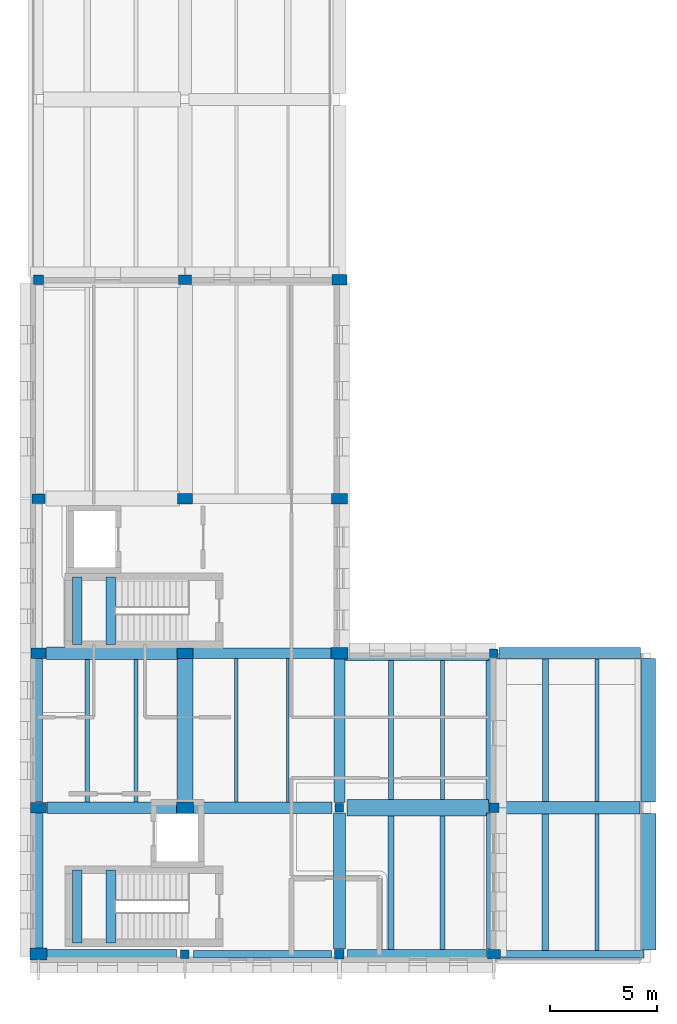
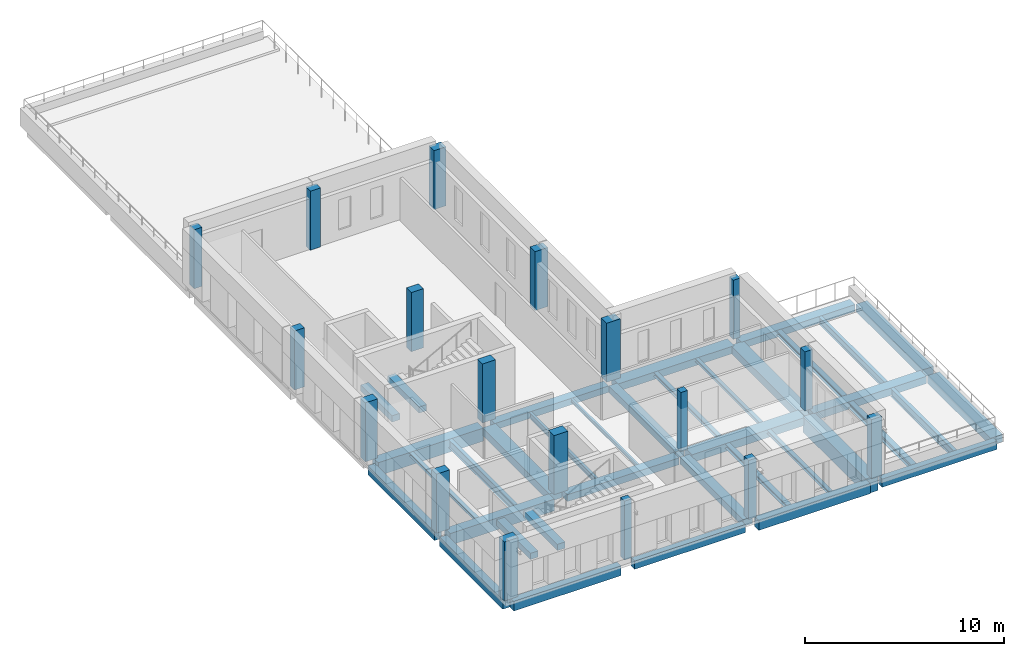
# One storey, part 1 of 8: 37 beams, 18 columns.
"""IFC4 building model written with IfcOpenShell, lengths in metres."""

from ifc_helpers import new_model, si_unit, direction, frame, origin, origin_2d, place, context, subcontext, project, spatial, rectangle, i_section, extrude, material, material_profile, profile_set, type_object, element, save


model = new_model("IFC4")

# Units and contexts
model_context = context("Model", 3, precision=1e-05, world=origin(), true_north=direction((0.0, 1.0)))
body_context = subcontext(model_context, "Body", "Model", "MODEL_VIEW")
ifc_project = project(units=[si_unit("LENGTHUNIT", "METRE"), si_unit("AREAUNIT", "SQUARE_METRE"), si_unit("VOLUMEUNIT", "CUBIC_METRE"), si_unit("PLANEANGLEUNIT", "RADIAN"), si_unit("MASSUNIT", "GRAM", prefix="KILO")], contexts=[model_context])

# Site, building, storey
site_placement = place(None, origin())
site = spatial("IfcSite", under=ifc_project, at=site_placement, CompositionType="ELEMENT")
building_placement = place(site_placement, origin())
building = spatial("IfcBuilding", under=site, at=building_placement, Name="Vardoun Plaza Health Centre", CompositionType="ELEMENT")
storey_placement = place(building_placement, frame((0.0, 0.0, 21.14990234375)))
storey = spatial("IfcBuildingStorey", under=building, at=storey_placement, Name="L05", CompositionType="ELEMENT", Elevation=21.14990234375)

# Columns
ifc_material_1 = material(Name="Concrete C40/50", Category="concrete")
ifc_material_profile_1 = material_profile(ifc_material_1, rectangle(XDim=0.39990234375, YDim=0.39990234375, at=origin_2d()), Name="RC-COL 400x400")
ifc_profile_set_1 = profile_set([ifc_material_profile_1], Name="Concrete C40/50")
column_type_1 = type_object("IfcColumnType", Name="C-08", PredefinedType="COLUMN", material=ifc_profile_set_1)
for number, where, z_axis, x_axis, name in (
    (1, (11.699951171875, 4.8798828125, 0.0), (0.0, 0.0, 1.0), (1.0, 0.0, 0.0), "V2 L05 Column C-V2-06"),
    (2, (18.89990234375, 11.699951171875, 0.0), (0.0, 0.0, 1.0), (1.0, 0.0, 0.0), "V2 L05 Column C-V2-12"),
    (3, (26.10009765625, 18.89990234375, 0.0), (0.0, 0.0, 1.0), (1.0, 0.0, 0.0), "V2 L05 Column C-V2-18"),
):
    element("IfcColumn", number, at=place(storey_placement, frame(where, z_axis=z_axis, x_axis=x_axis)), inside=storey, type_object=column_type_1, Name=name, PredefinedType="COLUMN", context=body_context, shape_type="SweptSolid", body=[
        extrude(rectangle(XDim=0.39990234375, YDim=0.39990234375, at=origin_2d()), origin(), (0.0, 0.0, 1.0), 3.6201171875),
    ])
ifc_material_2 = material(Name="Concrete C40/50", Category="concrete")
ifc_material_profile_2 = material_profile(ifc_material_2, rectangle(XDim=0.449951171875, YDim=0.449951171875, at=origin_2d()), Name="RC-COL 450x450")
ifc_profile_set_2 = profile_set([ifc_material_profile_2], Name="Concrete C40/50")
column_type_2 = type_object("IfcColumnType", Name="C-07", PredefinedType="COLUMN", material=ifc_profile_set_2)
for number, where, z_axis, x_axis, name in (
    (4, (4.8798828125, 36.300048828125, 0.0), (0.0, 0.0, 1.0), (1.0, 0.0, 0.0), "V2 L05 Column C-V2-05"),
    (5, (18.89990234375, 4.8798828125, 0.0), (0.0, 0.0, 1.0), (1.0, 0.0, 0.0), "V2 L05 Column C-V2-11"),
    (6, (26.10009765625, 11.699951171875, 0.0), (0.0, 0.0, 1.0), (1.0, 0.0, 0.0), "V2 L05 Column C-V2-17"),
):
    element("IfcColumn", number, at=place(storey_placement, frame(where, z_axis=z_axis, x_axis=x_axis)), inside=storey, type_object=column_type_2, Name=name, PredefinedType="COLUMN", context=body_context, shape_type="SweptSolid", body=[
        extrude(rectangle(XDim=0.449951171875, YDim=0.449951171875, at=origin_2d()), origin(), (0.0, 0.0, 1.0), 3.6201171875),
    ])
ifc_material_3 = material(Name="Concrete C40/50", Category="concrete")
ifc_material_profile_3 = material_profile(ifc_material_3, rectangle(XDim=0.60009765625, YDim=0.449951171875, at=origin_2d()), Name="RC-COL 600x450")
ifc_profile_set_3 = profile_set([ifc_material_profile_3], Name="Concrete C40/50")
column_type_3 = type_object("IfcColumnType", Name="C-12", PredefinedType="COLUMN", material=ifc_profile_set_3)
for number, where, z_axis, x_axis, name in (
    (7, (4.8798828125, 26.10009765625, 0.0), (0.0, 0.0, 1.0), (1.0, 0.0, 0.0), "V2 L05 Column C-V2-04"),
    (8, (11.699951171875, 36.300048828125, 0.0), (0.0, 0.0, 1.0), (1.0, 0.0, 0.0), "V2 L05 Column C-V2-10"),
    (9, (26.10009765625, 4.8798828125, 0.0), (0.0, 0.0, 1.0), (1.0, 0.0, 0.0), "V2 L05 Column C-V2-16"),
):
    element("IfcColumn", number, at=place(storey_placement, frame(where, z_axis=z_axis, x_axis=x_axis)), inside=storey, type_object=column_type_3, Name=name, PredefinedType="COLUMN", context=body_context, shape_type="SweptSolid", body=[
        extrude(rectangle(XDim=0.60009765625, YDim=0.449951171875, at=origin_2d()), origin(), (0.0, 0.0, 1.0), 3.6201171875),
    ])
ifc_material_4 = material(Name="Concrete C40/50", Category="concrete")
ifc_material_profile_4 = material_profile(ifc_material_4, rectangle(XDim=0.699951171875, YDim=0.5, at=origin_2d()), Name="RC-COL 700x500")
ifc_profile_set_4 = profile_set([ifc_material_profile_4], Name="Concrete C40/50")
column_type_4 = type_object("IfcColumnType", Name="C-11", PredefinedType="COLUMN", material=ifc_profile_set_4)
for number, where, z_axis, x_axis, name in (
    (10, (4.8798828125, 18.89990234375, 0.0), (0.0, 0.0, 1.0), (1.0, 0.0, 0.0), "V2 L05 Column C-V2-03"),
    (11, (11.699951171875, 26.10009765625, 0.0), (0.0, 0.0, 1.0), (1.0, 0.0, 0.0), "V2 L05 Column C-V2-09"),
    (12, (18.89990234375, 36.300048828125, 0.0), (0.0, 0.0, 1.0), (1.0, 0.0, 0.0), "V2 L05 Column C-V2-15"),
):
    element("IfcColumn", number, at=place(storey_placement, frame(where, z_axis=z_axis, x_axis=x_axis)), inside=storey, type_object=column_type_4, Name=name, PredefinedType="COLUMN", context=body_context, shape_type="SweptSolid", body=[
        extrude(rectangle(XDim=0.699951171875, YDim=0.5, at=origin_2d()), origin(), (0.0, 0.0, 1.0), 3.6201171875),
    ])
ifc_material_5 = material(Name="Concrete C40/50", Category="concrete")
ifc_material_profile_5 = material_profile(ifc_material_5, rectangle(XDim=0.75, YDim=0.5, at=origin_2d()), Name="RC-COL 750x500")
ifc_profile_set_5 = profile_set([ifc_material_profile_5], Name="Concrete C40/50")
column_type_5 = type_object("IfcColumnType", Name="C-10", PredefinedType="COLUMN", material=ifc_profile_set_5)
for number, where, z_axis, x_axis, name in (
    (13, (4.8798828125, 11.699951171875, 0.0), (0.0, 0.0, 1.0), (1.0, 0.0, 0.0), "V2 L05 Column C-V2-02"),
    (14, (11.699951171875, 18.89990234375, 0.0), (0.0, 0.0, 1.0), (1.0, 0.0, 0.0), "V2 L05 Column C-V2-08"),
    (15, (18.89990234375, 26.10009765625, 0.0), (0.0, 0.0, 1.0), (1.0, 0.0, 0.0), "V2 L05 Column C-V2-14"),
):
    element("IfcColumn", number, at=place(storey_placement, frame(where, z_axis=z_axis, x_axis=x_axis)), inside=storey, type_object=column_type_5, Name=name, PredefinedType="COLUMN", context=body_context, shape_type="SweptSolid", body=[
        extrude(rectangle(XDim=0.75, YDim=0.5, at=origin_2d()), origin(), (0.0, 0.0, 1.0), 3.6201171875),
    ])
ifc_material_6 = material(Name="Concrete C40/50", Category="concrete")
ifc_material_profile_6 = material_profile(ifc_material_6, rectangle(XDim=0.800048828125, YDim=0.550048828125, at=origin_2d()), Name="RC-COL 800x550")
ifc_profile_set_6 = profile_set([ifc_material_profile_6], Name="Concrete C40/50")
column_type_6 = type_object("IfcColumnType", Name="C-09", PredefinedType="COLUMN", material=ifc_profile_set_6)
for number, where, z_axis, x_axis, name in (
    (16, (4.8798828125, 4.8798828125, 0.0), (0.0, 0.0, 1.0), (1.0, 0.0, 0.0), "V2 L05 Column C-V2-01"),
    (17, (11.699951171875, 11.699951171875, 0.0), (0.0, 0.0, 1.0), (1.0, 0.0, 0.0), "V2 L05 Column C-V2-07"),
    (18, (18.89990234375, 18.89990234375, 0.0), (0.0, 0.0, 1.0), (1.0, 0.0, 0.0), "V2 L05 Column C-V2-13"),
):
    element("IfcColumn", number, at=place(storey_placement, frame(where, z_axis=z_axis, x_axis=x_axis)), inside=storey, type_object=column_type_6, Name=name, PredefinedType="COLUMN", context=body_context, shape_type="SweptSolid", body=[
        extrude(rectangle(XDim=0.800048828125, YDim=0.550048828125, at=origin_2d()), origin(), (0.0, 0.0, 1.0), 3.6201171875),
    ])

# Beams
ifc_material_7 = material(Name="Concrete C35/45", Category="concrete")
ifc_material_profile_7 = material_profile(ifc_material_7, rectangle(XDim=0.35009765625, YDim=0.5, at=origin_2d()), Name="RC-BM 350x500")
ifc_profile_set_7 = profile_set([ifc_material_profile_7], Name="Concrete C35/45")
beam_type_1 = type_object("IfcBeamType", Name="B-08", PredefinedType="SPANDREL", material=ifc_profile_set_7)
beam_1_placement = place(storey_placement, frame((12.10009765625, 4.8798828125, -0.52978515625), z_axis=(1.0, 0.0, 0.0), x_axis=(0.0, 1.0, 0.0)))
element("IfcBeam", 19, at=beam_1_placement, inside=storey, type_object=beam_type_1, Name="V2 L05 Beam B-V2-L05-X08", PredefinedType="SPANDREL", context=body_context, shape_type="SweptSolid", body=[
    extrude(rectangle(XDim=0.35009765625, YDim=0.5, at=origin_2d()), origin(), (0.0, 0.0, 1.0), 6.4248046875),
])
beam_2_placement = place(storey_placement, frame((26.449951171875, 4.8798828125, -0.52978515625), z_axis=(1.0, 0.0, 0.0), x_axis=(0.0, 1.0, 0.0)))
element("IfcBeam", 20, at=beam_2_placement, inside=storey, type_object=beam_type_1, Name="V2 L05 Beam B-V2-L05-X18", PredefinedType="SPANDREL", context=body_context, shape_type="SweptSolid", body=[
    extrude(rectangle(XDim=0.35009765625, YDim=0.5, at=origin_2d()), origin(), (0.0, 0.0, 1.0), 6.650146484375),
])
ifc_material_8 = material(Name="Concrete C35/45", Category="concrete")
ifc_material_profile_8 = material_profile(ifc_material_8, rectangle(XDim=0.39990234375, YDim=0.550048828125, at=origin_2d()), Name="RC-BM 400x550")
ifc_profile_set_8 = profile_set([ifc_material_profile_8], Name="Concrete C35/45")
beam_type_2 = type_object("IfcBeamType", Name="B-09", PredefinedType="SPANDREL", material=ifc_profile_set_8)
beam_3_placement = place(storey_placement, frame((4.8798828125, 11.97509765625, -0.554931640625), z_axis=(0.0, 1.0, 0.0), x_axis=(-1.0, 0.0, 0.0)))
element("IfcBeam", 21, at=beam_3_placement, inside=storey, type_object=beam_type_2, Name="V2 L05 Beam B-V2-L05-Y22", PredefinedType="SPANDREL", context=body_context, shape_type="SweptSolid", body=[
    extrude(rectangle(XDim=0.39990234375, YDim=0.550048828125, at=origin_2d()), origin(), (0.0, 0.0, 1.0), 6.6748046875),
])
ifc_material_9 = material(Name="Concrete C35/45", Category="concrete")
ifc_material_profile_9 = material_profile(ifc_material_9, rectangle(XDim=0.419921875, YDim=0.580078125, at=origin_2d()), Name="RC-BM 420x580")
ifc_profile_set_9 = profile_set([ifc_material_profile_9], Name="Concrete C35/45")
beam_type_3 = type_object("IfcBeamType", Name="B-10", PredefinedType="SPANDREL", material=ifc_profile_set_9)
beam_4_placement = place(storey_placement, frame((5.080078125, 4.8798828125, -0.56982421875), z_axis=(1.0, 0.0, 0.0), x_axis=(0.0, 1.0, 0.0)))
element("IfcBeam", 22, at=beam_4_placement, inside=storey, type_object=beam_type_3, Name="V2 L05 Beam B-V2-L05-X01", PredefinedType="SPANDREL", context=body_context, shape_type="SweptSolid", body=[
    extrude(rectangle(XDim=0.419921875, YDim=0.580078125, at=origin_2d()), origin(), (0.0, 0.0, 1.0), 6.219970703125),
])
beam_5_placement = place(storey_placement, frame((4.8798828125, 5.080078125, -0.56982421875), z_axis=(0.0, 1.0, 0.0), x_axis=(-1.0, 0.0, 0.0)))
element("IfcBeam", 23, at=beam_5_placement, inside=storey, type_object=beam_type_3, Name="V2 L05 Beam B-V2-L05-Y21", PredefinedType="SPANDREL", context=body_context, shape_type="SweptSolid", body=[
    extrude(rectangle(XDim=0.419921875, YDim=0.580078125, at=origin_2d()), origin(), (0.0, 0.0, 1.0), 6.344970703125),
])
ifc_material_10 = material(Name="Concrete C35/45", Category="concrete")
ifc_material_profile_10 = material_profile(ifc_material_10, rectangle(XDim=0.449951171875, YDim=0.3798828125, at=origin_2d()), Name="RC-BM 450x380")
ifc_profile_set_10 = profile_set([ifc_material_profile_10], Name="Concrete C35/45")
beam_type_4 = type_object("IfcBeamType", Name="B-01", PredefinedType="BEAM", material=ifc_profile_set_10)
for number, where, z_axis, x_axis, name in (
    (24, (6.679931640625, 5.39990234375, 1.56005859375), (0.0, 1.0, 0.0), (-1.0, 0.0, 0.0), "Stair ST-C1-L05 Landing Beam 1"),
    (25, (8.239990234375, 5.39990234375, 1.56005859375), (0.0, 1.0, 0.0), (-1.0, 0.0, 0.0), "Stair ST-C1-L05 Landing Beam 2"),
):
    element("IfcBeam", number, at=place(storey_placement, frame(where, z_axis=z_axis, x_axis=x_axis)), inside=storey, type_object=beam_type_4, Name=name, PredefinedType="BEAM", context=body_context, shape_type="SweptSolid", body=[
        extrude(rectangle(XDim=0.449951171875, YDim=0.3798828125, at=origin_2d()), origin(), (0.0, 0.0, 1.0), 3.400146484375),
    ])
for number, where, z_axis, x_axis, name in (
    (26, (6.679931640625, 19.300048828125, 1.56005859375), (0.0, 1.0, 0.0), (-1.0, 0.0, 0.0), "Stair ST-C2-L05 Landing Beam 1"),
    (27, (8.239990234375, 19.300048828125, 1.56005859375), (0.0, 1.0, 0.0), (-1.0, 0.0, 0.0), "Stair ST-C2-L05 Landing Beam 2"),
):
    element("IfcBeam", number, at=place(storey_placement, frame(where, z_axis=z_axis, x_axis=x_axis)), inside=storey, type_object=beam_type_4, Name=name, PredefinedType="BEAM", context=body_context, shape_type="SweptSolid", body=[
        extrude(rectangle(XDim=0.449951171875, YDim=0.3798828125, at=origin_2d()), origin(), (0.0, 0.0, 1.0), 3.14990234375),
    ])
ifc_material_11 = material(Name="Concrete C35/45", Category="concrete")
ifc_material_profile_11 = material_profile(ifc_material_11, rectangle(XDim=0.449951171875, YDim=0.60009765625, at=origin_2d()), Name="RC-BM 450x600")
ifc_profile_set_11 = profile_set([ifc_material_profile_11], Name="Concrete C35/45")
beam_type_5 = type_object("IfcBeamType", Name="B-11", PredefinedType="SPANDREL", material=ifc_profile_set_11)
beam_6_placement = place(storey_placement, frame((19.27490234375, 4.8798828125, -0.579833984375), z_axis=(1.0, 0.0, 0.0), x_axis=(0.0, 1.0, 0.0)))
element("IfcBeam", 28, at=beam_6_placement, inside=storey, type_object=beam_type_5, Name="V2 L05 Beam B-V2-L05-X15", PredefinedType="SPANDREL", context=body_context, shape_type="SweptSolid", body=[
    extrude(rectangle(XDim=0.449951171875, YDim=0.60009765625, at=origin_2d()), origin(), (0.0, 0.0, 1.0), 6.47509765625),
])
ifc_material_12 = material(Name="Concrete C35/45", Category="concrete")
ifc_material_profile_12 = material_profile(ifc_material_12, rectangle(XDim=0.5, YDim=0.39990234375, at=origin_2d()), Name="RC-BM 500x400")
ifc_profile_set_12 = profile_set([ifc_material_profile_12], Name="Concrete C35/45")
beam_type_6 = type_object("IfcBeamType", Name="B-02", PredefinedType="BEAM", material=ifc_profile_set_12)
beam_7_placement = place(storey_placement, frame((12.050048828125, 18.89990234375, -0.47998046875), z_axis=(1.0, 0.0, 0.0), x_axis=(0.0, 1.0, 0.0)))
element("IfcBeam", 29, at=beam_7_placement, inside=storey, type_object=beam_type_6, Name="V2 L05 Beam B-V2-L05-X10", PredefinedType="BEAM", context=body_context, shape_type="SweptSolid", body=[
    extrude(rectangle(XDim=0.5, YDim=0.39990234375, at=origin_2d()), origin(), (0.0, 0.0, 1.0), 6.599853515625),
])
beam_8_placement = place(storey_placement, frame((18.89990234375, 11.949951171875, -0.47998046875), z_axis=(0.0, 1.0, 0.0), x_axis=(-1.0, 0.0, 0.0)))
element("IfcBeam", 30, at=beam_8_placement, inside=storey, type_object=beam_type_6, Name="V2 L05 Beam B-V2-L05-Y32", PredefinedType="BEAM", context=body_context, shape_type="SweptSolid", body=[
    extrude(rectangle(XDim=0.5, YDim=0.39990234375, at=origin_2d()), origin(), (0.0, 0.0, 1.0), 6.699951171875),
])
ifc_material_13 = material(Name="Concrete C35/45", Category="concrete")
ifc_material_profile_13 = material_profile(ifc_material_13, rectangle(XDim=0.550048828125, YDim=0.419921875, at=origin_2d()), Name="RC-BM 550x420")
ifc_profile_set_13 = profile_set([ifc_material_profile_13], Name="Concrete C35/45")
beam_type_7 = type_object("IfcBeamType", Name="B-03", PredefinedType="BEAM", material=ifc_profile_set_13)
beam_9_placement = place(storey_placement, frame((12.074951171875, 11.699951171875, -0.489990234375), z_axis=(1.0, 0.0, 0.0), x_axis=(0.0, 1.0, 0.0)))
element("IfcBeam", 31, at=beam_9_placement, inside=storey, type_object=beam_type_7, Name="V2 L05 Beam B-V2-L05-X09", PredefinedType="BEAM", context=body_context, shape_type="SweptSolid", body=[
    extrude(rectangle(XDim=0.550048828125, YDim=0.419921875, at=origin_2d()), origin(), (0.0, 0.0, 1.0), 6.47509765625),
])
beam_10_placement = place(storey_placement, frame((26.324951171875, 18.89990234375, -0.489990234375), z_axis=(1.0, 0.0, 0.0), x_axis=(0.0, 1.0, 0.0)))
element("IfcBeam", 32, at=beam_10_placement, inside=storey, type_object=beam_type_7, Name="V2 L05 Beam B-V2-L05-X20", PredefinedType="BEAM", context=body_context, shape_type="SweptSolid", body=[
    extrude(rectangle(XDim=0.550048828125, YDim=0.419921875, at=origin_2d()), origin(), (0.0, 0.0, 1.0), 6.60009765625),
])
beam_11_placement = place(storey_placement, frame((18.89990234375, 5.1298828125, -0.489990234375), z_axis=(0.0, 1.0, 0.0), x_axis=(-1.0, 0.0, 0.0)))
element("IfcBeam", 33, at=beam_11_placement, inside=storey, type_object=beam_type_7, Name="V2 L05 Beam B-V2-L05-Y31", PredefinedType="BEAM", context=body_context, shape_type="SweptSolid", body=[
    extrude(rectangle(XDim=0.550048828125, YDim=0.419921875, at=origin_2d()), origin(), (0.0, 0.0, 1.0), 6.320068359375),
])
ifc_material_14 = material(Name="Concrete C40/50", Category="concrete")
ifc_material_profile_14 = material_profile(ifc_material_14, rectangle(XDim=0.550048828125, YDim=0.719970703125, at=origin_2d()), Name="RC-BM 550x720")
ifc_profile_set_14 = profile_set([ifc_material_profile_14], Name="Concrete C40/50")
beam_type_8 = type_object("IfcBeamType", Name="B-14", PredefinedType="BEAM", material=ifc_profile_set_14)
beam_12_placement = place(storey_placement, frame((5.280029296875, 11.699951171875, -0.639892578125), z_axis=(1.0, 0.0, 0.0), x_axis=(0.0, 1.0, 0.0)))
element("IfcBeam", 34, at=beam_12_placement, inside=storey, type_object=beam_type_8, Name="V2 L05 Beam B-V2-L05-X02", PredefinedType="BEAM", context=body_context, shape_type="SweptSolid", body=[
    extrude(rectangle(XDim=0.550048828125, YDim=0.719970703125, at=origin_2d()), origin(), (0.0, 0.0, 1.0), 6.044921875),
])
ifc_material_15 = material(Name="Concrete C35/45", Category="concrete")
ifc_material_profile_15 = material_profile(ifc_material_15, rectangle(XDim=0.60009765625, YDim=0.449951171875, at=origin_2d()), Name="RC-BM 600x450")
ifc_profile_set_15 = profile_set([ifc_material_profile_15], Name="Concrete C35/45")
beam_type_9 = type_object("IfcBeamType", Name="B-04", PredefinedType="BEAM", material=ifc_profile_set_15)
beam_13_placement = place(storey_placement, frame((26.35009765625, 11.699951171875, -0.5048828125), z_axis=(1.0, 0.0, 0.0), x_axis=(0.0, 1.0, 0.0)))
element("IfcBeam", 35, at=beam_13_placement, inside=storey, type_object=beam_type_9, Name="V2 L05 Beam B-V2-L05-X19", PredefinedType="BEAM", context=body_context, shape_type="SweptSolid", body=[
    extrude(rectangle(XDim=0.60009765625, YDim=0.449951171875, at=origin_2d()), origin(), (0.0, 0.0, 1.0), 6.550048828125),
])
ifc_material_16 = material(Name="Concrete C40/50", Category="concrete")
ifc_material_profile_16 = material_profile(ifc_material_16, rectangle(XDim=0.60009765625, YDim=0.800048828125, at=origin_2d()), Name="RC-BM 600x800")
ifc_profile_set_16 = profile_set([ifc_material_profile_16], Name="Concrete C40/50")
beam_type_10 = type_object("IfcBeamType", Name="B-15", PredefinedType="JOIST", material=ifc_profile_set_16)
beam_14_placement = place(storey_placement, frame((5.2548828125, 18.89990234375, -0.679931640625), z_axis=(1.0, 0.0, 0.0), x_axis=(0.0, 1.0, 0.0)))
element("IfcBeam", 36, at=beam_14_placement, inside=storey, type_object=beam_type_10, Name="V2 L05 Beam B-V2-L05-X03", PredefinedType="JOIST", context=body_context, shape_type="SweptSolid", body=[
    extrude(rectangle(XDim=0.60009765625, YDim=0.800048828125, at=origin_2d()), origin(), (0.0, 0.0, 1.0), 6.09521484375),
])
ifc_material_17 = material(Name="Concrete C35/45", Category="concrete")
ifc_material_profile_17 = material_profile(ifc_material_17, rectangle(XDim=0.64990234375, YDim=0.449951171875, at=origin_2d()), Name="RC-BM 650x450")
ifc_profile_set_17 = profile_set([ifc_material_profile_17], Name="Concrete C35/45")
beam_type_11 = type_object("IfcBeamType", Name="B-05", PredefinedType="BEAM", material=ifc_profile_set_17)
beam_15_placement = place(storey_placement, frame((33.300048828125, 11.97509765625, -0.5048828125), z_axis=(0.0, 1.0, 0.0), x_axis=(-1.0, 0.0, 0.0)))
element("IfcBeam", 37, at=beam_15_placement, inside=storey, type_object=beam_type_11, Name="V2 L05 Beam B-V2-L05-Y40", PredefinedType="BEAM", context=body_context, shape_type="SweptSolid", body=[
    extrude(rectangle(XDim=0.64990234375, YDim=0.449951171875, at=origin_2d()), origin(), (0.0, 0.0, 1.0), 6.6748046875),
])
ifc_material_18 = material(Name="Concrete C35/45", Category="concrete")
ifc_material_profile_18 = material_profile(ifc_material_18, rectangle(XDim=0.699951171875, YDim=0.449951171875, at=origin_2d()), Name="RC-BM 700x450")
ifc_profile_set_18 = profile_set([ifc_material_profile_18], Name="Concrete C35/45")
beam_type_12 = type_object("IfcBeamType", Name="B-06", PredefinedType="BEAM", material=ifc_profile_set_18)
beam_16_placement = place(storey_placement, frame((19.14990234375, 18.89990234375, -0.5048828125), z_axis=(1.0, 0.0, 0.0), x_axis=(0.0, 1.0, 0.0)))
element("IfcBeam", 38, at=beam_16_placement, inside=storey, type_object=beam_type_12, Name="V2 L05 Beam B-V2-L05-X17", PredefinedType="BEAM", context=body_context, shape_type="SweptSolid", body=[
    extrude(rectangle(XDim=0.699951171875, YDim=0.449951171875, at=origin_2d()), origin(), (0.0, 0.0, 1.0), 6.72509765625),
])
beam_17_placement = place(storey_placement, frame((33.300048828125, 5.080078125, -0.5048828125), z_axis=(0.0, 1.0, 0.0), x_axis=(-1.0, 0.0, 0.0)))
element("IfcBeam", 39, at=beam_17_placement, inside=storey, type_object=beam_type_12, Name="V2 L05 Beam B-V2-L05-Y39", PredefinedType="BEAM", context=body_context, shape_type="SweptSolid", body=[
    extrude(rectangle(XDim=0.699951171875, YDim=0.449951171875, at=origin_2d()), origin(), (0.0, 0.0, 1.0), 6.344970703125),
])
ifc_material_19 = material(Name="Concrete C40/50", Category="concrete")
ifc_material_profile_19 = material_profile(ifc_material_19, rectangle(XDim=0.699951171875, YDim=0.949951171875, at=origin_2d()), Name="RC-BM 700x950")
ifc_profile_set_19 = profile_set([ifc_material_profile_19], Name="Concrete C40/50")
beam_type_13 = type_object("IfcBeamType", Name="B-16", PredefinedType="LINTEL", material=ifc_profile_set_19)
beam_18_placement = place(storey_placement, frame((26.10009765625, 5.1298828125, -0.7548828125), z_axis=(0.0, 1.0, 0.0), x_axis=(-1.0, 0.0, 0.0)))
element("IfcBeam", 40, at=beam_18_placement, inside=storey, type_object=beam_type_13, Name="V2 L05 Beam B-V2-L05-Y37", PredefinedType="LINTEL", context=body_context, shape_type="SweptSolid", body=[
    extrude(rectangle(XDim=0.699951171875, YDim=0.949951171875, at=origin_2d()), origin(), (0.0, 0.0, 1.0), 6.320068359375),
])
ifc_material_20 = material(Name="Concrete C35/45", Category="concrete")
ifc_material_profile_20 = material_profile(ifc_material_20, rectangle(XDim=0.75, YDim=0.47998046875, at=origin_2d()), Name="RC-BM 750x480")
ifc_profile_set_20 = profile_set([ifc_material_profile_20], Name="Concrete C35/45")
beam_type_14 = type_object("IfcBeamType", Name="B-07", PredefinedType="BEAM", material=ifc_profile_set_20)
beam_19_placement = place(storey_placement, frame((19.25, 11.699951171875, -0.52001953125), z_axis=(1.0, 0.0, 0.0), x_axis=(0.0, 1.0, 0.0)))
element("IfcBeam", 41, at=beam_19_placement, inside=storey, type_object=beam_type_14, Name="V2 L05 Beam B-V2-L05-X16", PredefinedType="BEAM", context=body_context, shape_type="SweptSolid", body=[
    extrude(rectangle(XDim=0.75, YDim=0.47998046875, at=origin_2d()), origin(), (0.0, 0.0, 1.0), 6.60009765625),
])
beam_20_placement = place(storey_placement, frame((11.699951171875, 11.949951171875, -0.52001953125), z_axis=(0.0, 1.0, 0.0), x_axis=(-1.0, 0.0, 0.0)))
element("IfcBeam", 42, at=beam_20_placement, inside=storey, type_object=beam_type_14, Name="V2 L05 Beam B-V2-L05-Y27", PredefinedType="BEAM", context=body_context, shape_type="SweptSolid", body=[
    extrude(rectangle(XDim=0.75, YDim=0.47998046875, at=origin_2d()), origin(), (0.0, 0.0, 1.0), 6.699951171875),
])
beam_21_placement = place(storey_placement, frame((26.10009765625, 11.949951171875, -0.52001953125), z_axis=(0.0, 1.0, 0.0), x_axis=(-1.0, 0.0, 0.0)))
element("IfcBeam", 43, at=beam_21_placement, inside=storey, type_object=beam_type_14, Name="V2 L05 Beam B-V2-L05-Y38", PredefinedType="BEAM", context=body_context, shape_type="SweptSolid", body=[
    extrude(rectangle(XDim=0.75, YDim=0.47998046875, at=origin_2d()), origin(), (0.0, 0.0, 1.0), 6.72509765625),
])
ifc_material_21 = material(Name="Steel S355J2", Category="steel")
ifc_material_profile_21 = material_profile(ifc_material_21, i_section(OverallWidth=0.199951171875, OverallDepth=0.18994140625, WebThickness=0.006591796875, FlangeThickness=0.010009765625, FilletRadius=0.01806640625, at=origin_2d()), Name="HEA 200")
ifc_profile_set_21 = profile_set([ifc_material_profile_21], Name="Steel S355J2")
beam_type_15 = type_object("IfcBeamType", Name="SB-09", PredefinedType="BEAM", material=ifc_profile_set_21)
beam_22_placement = place(storey_placement, frame((23.7001953125, 12.074951171875, -0.375), z_axis=(0.0, 1.0, 0.0), x_axis=(-1.0, 0.0, 0.0)))
element("IfcBeam", 44, at=beam_22_placement, inside=storey, type_object=beam_type_15, Name="V2 L05 Secondary Floor Beam SJ-V2-L05-20", PredefinedType="BEAM", context=body_context, shape_type="SweptSolid", body=[
    extrude(i_section(OverallWidth=0.199951171875, OverallDepth=0.18994140625, WebThickness=0.006591796875, FlangeThickness=0.010009765625, FilletRadius=0.01806640625, at=origin_2d()), origin(), (0.0, 0.0, 1.0), 6.47509765625),
])
ifc_material_22 = material(Name="Steel S355J2", Category="steel")
ifc_material_profile_22 = material_profile(ifc_material_22, i_section(OverallWidth=0.219970703125, OverallDepth=0.2099609375, WebThickness=0.007080078125, FlangeThickness=0.010986328125, FilletRadius=0.01806640625, at=origin_2d()), Name="HEA 220")
ifc_profile_set_22 = profile_set([ifc_material_profile_22], Name="Steel S355J2")
beam_type_16 = type_object("IfcBeamType", Name="SB-08", PredefinedType="BEAM", material=ifc_profile_set_22)
beam_23_placement = place(storey_placement, frame((7.153076171875, 11.97509765625, -0.385009765625), z_axis=(0.0, 1.0, 0.0), x_axis=(-1.0, 0.0, 0.0)))
element("IfcBeam", 45, at=beam_23_placement, inside=storey, type_object=beam_type_16, Name="V2 L05 Secondary Floor Beam SJ-V2-L05-01", PredefinedType="BEAM", context=body_context, shape_type="SweptSolid", body=[
    extrude(i_section(OverallWidth=0.219970703125, OverallDepth=0.2099609375, WebThickness=0.007080078125, FlangeThickness=0.010986328125, FilletRadius=0.01806640625, at=origin_2d()), origin(), (0.0, 0.0, 1.0), 6.625),
])
beam_24_placement = place(storey_placement, frame((23.7001953125, 5.10498046875, -0.385009765625), z_axis=(0.0, 1.0, 0.0), x_axis=(-1.0, 0.0, 0.0)))
element("IfcBeam", 46, at=beam_24_placement, inside=storey, type_object=beam_type_16, Name="V2 L05 Secondary Floor Beam SJ-V2-L05-19", PredefinedType="BEAM", context=body_context, shape_type="SweptSolid", body=[
    extrude(i_section(OverallWidth=0.219970703125, OverallDepth=0.2099609375, WebThickness=0.007080078125, FlangeThickness=0.010986328125, FilletRadius=0.01806640625, at=origin_2d()), origin(), (0.0, 0.0, 1.0), 6.219970703125),
])
ifc_material_23 = material(Name="Steel S355J2", Category="steel")
ifc_material_profile_23 = material_profile(ifc_material_23, i_section(OverallWidth=0.239990234375, OverallDepth=0.22998046875, WebThickness=0.007568359375, FlangeThickness=0.011962890625, FilletRadius=0.02099609375, at=origin_2d()), Name="HEA 240")
ifc_profile_set_23 = profile_set([ifc_material_profile_23], Name="Steel S355J2")
beam_type_17 = type_object("IfcBeamType", Name="SB-07", PredefinedType="BEAM", material=ifc_profile_set_23)
beam_25_placement = place(storey_placement, frame((21.2998046875, 12.074951171875, -0.39501953125), z_axis=(0.0, 1.0, 0.0), x_axis=(-1.0, 0.0, 0.0)))
element("IfcBeam", 47, at=beam_25_placement, inside=storey, type_object=beam_type_17, Name="V2 L05 Secondary Floor Beam SJ-V2-L05-18", PredefinedType="BEAM", context=body_context, shape_type="SweptSolid", body=[
    extrude(i_section(OverallWidth=0.239990234375, OverallDepth=0.22998046875, WebThickness=0.007568359375, FlangeThickness=0.011962890625, FilletRadius=0.02099609375, at=origin_2d()), origin(), (0.0, 0.0, 1.0), 6.47509765625),
])
ifc_material_24 = material(Name="Steel S355J2", Category="steel")
ifc_material_profile_24 = material_profile(ifc_material_24, i_section(OverallWidth=0.280029296875, OverallDepth=0.27001953125, WebThickness=0.008056640625, FlangeThickness=0.012939453125, FilletRadius=0.02392578125, at=origin_2d()), Name="HEA 280")
ifc_profile_set_24 = profile_set([ifc_material_profile_24], Name="Steel S355J2")
beam_type_18 = type_object("IfcBeamType", Name="SB-06", PredefinedType="BEAM", material=ifc_profile_set_24)
beam_26_placement = place(storey_placement, frame((21.2998046875, 5.10498046875, -0.414794921875), z_axis=(0.0, 1.0, 0.0), x_axis=(-1.0, 0.0, 0.0)))
element("IfcBeam", 48, at=beam_26_placement, inside=storey, type_object=beam_type_18, Name="V2 L05 Secondary Floor Beam SJ-V2-L05-17", PredefinedType="BEAM", context=body_context, shape_type="SweptSolid", body=[
    extrude(i_section(OverallWidth=0.280029296875, OverallDepth=0.27001953125, WebThickness=0.008056640625, FlangeThickness=0.012939453125, FilletRadius=0.02392578125, at=origin_2d()), origin(), (0.0, 0.0, 1.0), 6.219970703125),
])
ifc_material_25 = material(Name="Steel S355J2", Category="steel")
ifc_material_profile_25 = material_profile(ifc_material_25, i_section(OverallWidth=0.280029296875, OverallDepth=0.280029296875, WebThickness=0.010498046875, FlangeThickness=0.01806640625, FilletRadius=0.02392578125, at=origin_2d()), Name="HEB 280")
ifc_profile_set_25 = profile_set([ifc_material_profile_25], Name="Steel S355J2")
beam_type_19 = type_object("IfcBeamType", Name="SB-02", PredefinedType="BEAM", material=ifc_profile_set_25)
beam_27_placement = place(storey_placement, frame((28.499755859375, 12.0, -0.419921875), z_axis=(0.0, 1.0, 0.0), x_axis=(-1.0, 0.0, 0.0)))
element("IfcBeam", 49, at=beam_27_placement, inside=storey, type_object=beam_type_19, Name="V2 L05 Secondary Floor Beam SJ-V2-L05-22", PredefinedType="BEAM", context=body_context, shape_type="SweptSolid", body=[
    extrude(i_section(OverallWidth=0.280029296875, OverallDepth=0.280029296875, WebThickness=0.010498046875, FlangeThickness=0.01806640625, FilletRadius=0.02392578125, at=origin_2d()), origin(), (0.0, 0.0, 1.0), 6.625),
])
ifc_material_26 = material(Name="Steel S355J2", Category="steel")
ifc_material_profile_26 = material_profile(ifc_material_26, i_section(OverallWidth=0.300048828125, OverallDepth=0.360107421875, WebThickness=0.012451171875, FlangeThickness=0.0224609375, FilletRadius=0.027099609375, at=origin_2d()), Name="HEB 360")
ifc_profile_set_26 = profile_set([ifc_material_profile_26], Name="Steel S355J2")
beam_type_20 = type_object("IfcBeamType", Name="RB-04", PredefinedType="BEAM", material=ifc_profile_set_26)
beam_28_placement = place(storey_placement, frame((28.499755859375, 5.054931640625, -0.459716796875), z_axis=(0.0, 1.0, 0.0), x_axis=(-1.0, 0.0, 0.0)))
element("IfcBeam", 50, at=beam_28_placement, inside=storey, type_object=beam_type_20, Name="V2 L05 Secondary Floor Beam SJ-V2-L05-21", PredefinedType="BEAM", context=body_context, shape_type="SweptSolid", body=[
    extrude(i_section(OverallWidth=0.300048828125, OverallDepth=0.360107421875, WebThickness=0.012451171875, FlangeThickness=0.0224609375, FilletRadius=0.027099609375, at=origin_2d()), origin(), (0.0, 0.0, 1.0), 6.344970703125),
])
ifc_material_27 = material(Name="Steel S355J2", Category="steel")
ifc_material_profile_27 = material_profile(ifc_material_27, i_section(OverallWidth=0.110107421875, OverallDepth=0.219970703125, WebThickness=0.005859375, FlangeThickness=0.00927734375, FilletRadius=0.011962890625, at=origin_2d()), Name="IPE 220")
ifc_profile_set_27 = profile_set([ifc_material_profile_27], Name="Steel S355J2")
beam_type_21 = type_object("IfcBeamType", Name="SB-18", PredefinedType="JOIST", material=ifc_profile_set_27)
beam_29_placement = place(storey_placement, frame((16.500244140625, 11.97509765625, -0.389892578125), z_axis=(0.0, 1.0, 0.0), x_axis=(-1.0, 0.0, 0.0)))
element("IfcBeam", 51, at=beam_29_placement, inside=storey, type_object=beam_type_21, Name="V2 L05 Secondary Floor Beam SJ-V2-L05-13", PredefinedType="JOIST", context=body_context, shape_type="SweptSolid", body=[
    extrude(i_section(OverallWidth=0.110107421875, OverallDepth=0.219970703125, WebThickness=0.005859375, FlangeThickness=0.00927734375, FilletRadius=0.011962890625, at=origin_2d()), origin(), (0.0, 0.0, 1.0), 6.6748046875),
])
ifc_material_28 = material(Name="Steel S355J2", Category="steel")
ifc_material_profile_28 = material_profile(ifc_material_28, i_section(OverallWidth=0.159912109375, OverallDepth=0.330078125, WebThickness=0.007568359375, FlangeThickness=0.011474609375, FilletRadius=0.01806640625, at=origin_2d()), Name="IPE 330")
ifc_profile_set_28 = profile_set([ifc_material_profile_28], Name="Steel S355J2")
beam_type_22 = type_object("IfcBeamType", Name="SB-14", PredefinedType="JOIST", material=ifc_profile_set_28)
beam_30_placement = place(storey_placement, frame((14.099853515625, 11.97509765625, -0.44482421875), z_axis=(0.0, 1.0, 0.0), x_axis=(-1.0, 0.0, 0.0)))
element("IfcBeam", 52, at=beam_30_placement, inside=storey, type_object=beam_type_22, Name="V2 L05 Secondary Floor Beam SJ-V2-L05-09", PredefinedType="JOIST", context=body_context, shape_type="SweptSolid", body=[
    extrude(i_section(OverallWidth=0.159912109375, OverallDepth=0.330078125, WebThickness=0.007568359375, FlangeThickness=0.011474609375, FilletRadius=0.01806640625, at=origin_2d()), origin(), (0.0, 0.0, 1.0), 6.6748046875),
])
ifc_material_29 = material(Name="Steel S355J2", Category="steel")
ifc_material_profile_29 = material_profile(ifc_material_29, i_section(OverallWidth=0.18994140625, OverallDepth=0.449951171875, WebThickness=0.009521484375, FlangeThickness=0.0146484375, FilletRadius=0.02099609375, at=origin_2d()), Name="IPE 450")
ifc_profile_set_29 = profile_set([ifc_material_profile_29], Name="Steel S355J2")
beam_type_23 = type_object("IfcBeamType", Name="SB-11", PredefinedType="BEAM", material=ifc_profile_set_29)
beam_31_placement = place(storey_placement, frame((30.900146484375, 12.0, -0.5048828125), z_axis=(0.0, 1.0, 0.0), x_axis=(-1.0, 0.0, 0.0)))
element("IfcBeam", 53, at=beam_31_placement, inside=storey, type_object=beam_type_23, Name="V2 L05 Secondary Floor Beam SJ-V2-L05-24", PredefinedType="BEAM", context=body_context, shape_type="SweptSolid", body=[
    extrude(i_section(OverallWidth=0.18994140625, OverallDepth=0.449951171875, WebThickness=0.009521484375, FlangeThickness=0.0146484375, FilletRadius=0.02099609375, at=origin_2d()), origin(), (0.0, 0.0, 1.0), 6.625),
])
ifc_material_30 = material(Name="Steel S355J2", Category="steel")
ifc_material_profile_30 = material_profile(ifc_material_30, i_section(OverallWidth=0.199951171875, OverallDepth=0.5, WebThickness=0.01025390625, FlangeThickness=0.01611328125, FilletRadius=0.02099609375, at=origin_2d()), Name="IPE 500")
ifc_profile_set_30 = profile_set([ifc_material_profile_30], Name="Steel S355J2")
beam_type_24 = type_object("IfcBeamType", Name="SB-10", PredefinedType="BEAM", material=ifc_profile_set_30)
beam_32_placement = place(storey_placement, frame((9.427001953125, 11.97509765625, -0.52978515625), z_axis=(0.0, 1.0, 0.0), x_axis=(-1.0, 0.0, 0.0)))
element("IfcBeam", 54, at=beam_32_placement, inside=storey, type_object=beam_type_24, Name="V2 L05 Secondary Floor Beam SJ-V2-L05-05", PredefinedType="BEAM", context=body_context, shape_type="SweptSolid", body=[
    extrude(i_section(OverallWidth=0.199951171875, OverallDepth=0.5, WebThickness=0.01025390625, FlangeThickness=0.01611328125, FilletRadius=0.02099609375, at=origin_2d()), origin(), (0.0, 0.0, 1.0), 6.625),
])
beam_33_placement = place(storey_placement, frame((30.900146484375, 5.054931640625, -0.52978515625), z_axis=(0.0, 1.0, 0.0), x_axis=(-1.0, 0.0, 0.0)))
element("IfcBeam", 55, at=beam_33_placement, inside=storey, type_object=beam_type_24, Name="V2 L05 Secondary Floor Beam SJ-V2-L05-23", PredefinedType="BEAM", context=body_context, shape_type="SweptSolid", body=[
    extrude(i_section(OverallWidth=0.199951171875, OverallDepth=0.5, WebThickness=0.01025390625, FlangeThickness=0.01611328125, FilletRadius=0.02099609375, at=origin_2d()), origin(), (0.0, 0.0, 1.0), 6.344970703125),
])

save(model, "model.ifc")
